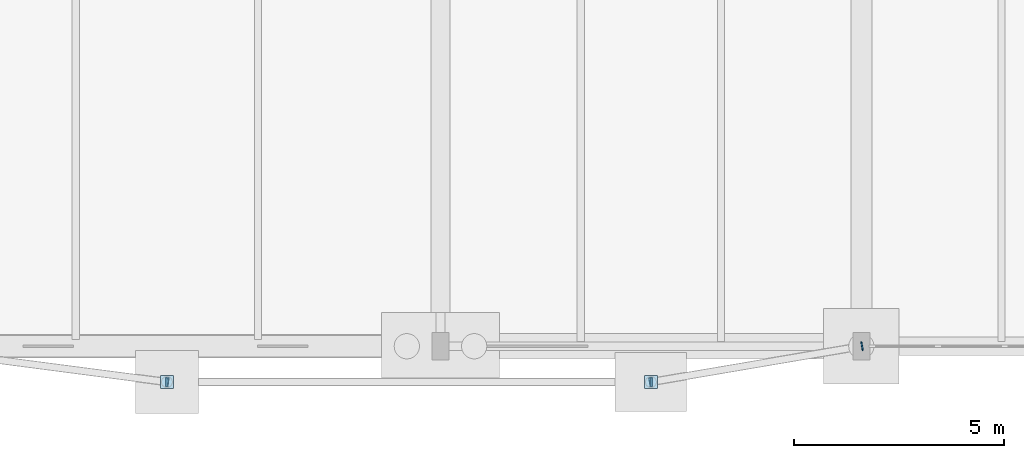
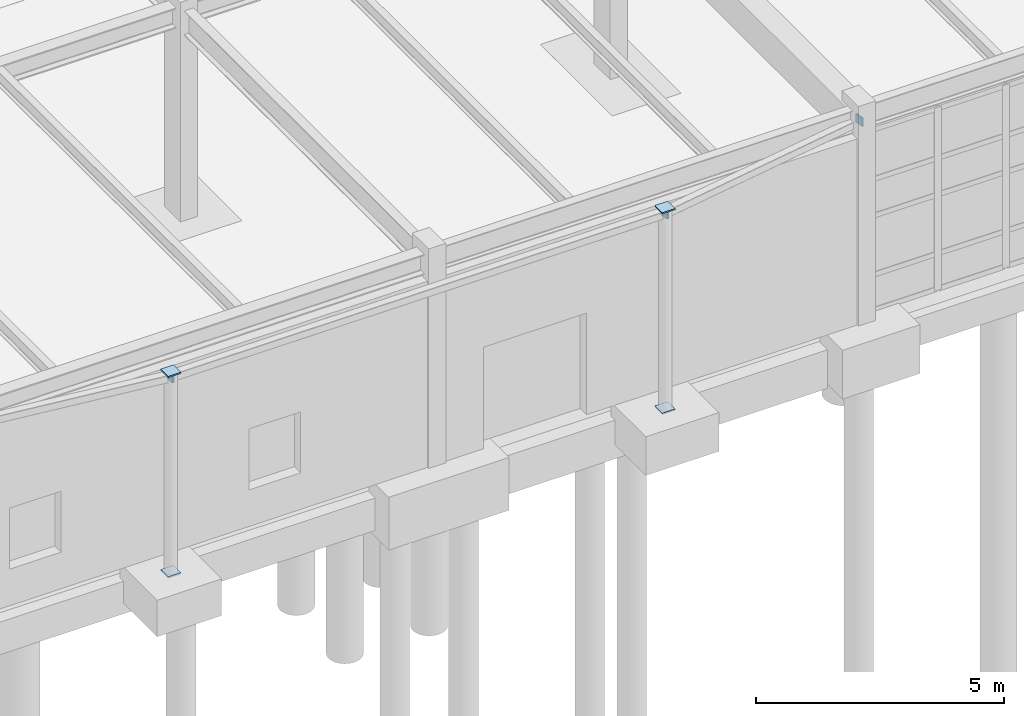
# One storey, part 114 of 145: 9 plates.
"""IFC4 building model written with IfcOpenShell, lengths in metres."""

import ifcopenshell
import ifcopenshell.guid

model = None  # the IFC model being written
_history = None  # IfcOwnerHistory: only IFC2X3 demands one
_inside = {}  # id of a spatial element -> (the spatial element, [elements in it])
_under = {}  # id of a project, library or spatial element -> (it, [spatial elements below it])
_declared = {}  # id of a project -> (the project, [libraries it declares])
_typed = {}  # id of a type object -> (the type object, [elements of that type])
_made_of = {}  # id of a material, layer set ... -> (it, [elements and type objects made of it])


def new_model(schema):
    """Start an empty IFC model of exactly this schema.

    Asked for "IFC4X3", IfcOpenShell would pick the latest addendum, in which some entities
    have other attributes; the version numbers below select the first issue.
    IFC2X3 requires an IfcOwnerHistory on every rooted entity: one is made here for all.
    """
    global model, _history
    if schema == "IFC4X3":
        model = ifcopenshell.file(schema_version=(4, 3, 0, 0))
    else:
        model = ifcopenshell.file(schema=schema)
    _inside.clear()
    _under.clear()
    _declared.clear()
    _typed.clear()
    _made_of.clear()
    _history = None
    if model.schema == "IFC2X3":
        org = make("IfcOrganization", Name="unknown")
        user = make(
            "IfcPersonAndOrganization",
            ThePerson=make("IfcPerson", FamilyName="unknown"),
            TheOrganization=org,
        )
        app = make(
            "IfcApplication",
            ApplicationDeveloper=org,
            Version="unknown",
            ApplicationFullName="unknown",
            ApplicationIdentifier="unknown",
        )
        _history = make(
            "IfcOwnerHistory",
            OwningUser=user,
            OwningApplication=app,
            ChangeAction="ADDED",
            CreationDate=0,
        )
    return model


def make(cls, **values):
    """One entity of the class cls with the attributes given. An attribute that is None is left unset."""
    return model.create_entity(
        cls, **{name: value for name, value in values.items() if value is not None}
    )


def rooted(cls, **values):
    """An entity with a GlobalId (a new one), such as an element, a storey or a relation."""
    return make(cls, GlobalId=ifcopenshell.guid.new(), OwnerHistory=_history, **values)


def si_unit(unit_type, name, prefix=None):
    """IfcSIUnit, for example si_unit("LENGTHUNIT", "METRE", prefix="MILLI")."""
    return make("IfcSIUnit", UnitType=unit_type, Prefix=prefix, Name=name)


def assignment(units):
    """IfcUnitAssignment: the units of a project."""
    return None if units is None else make("IfcUnitAssignment", Units=units)


def point(xyz):
    """IfcCartesianPoint."""
    return None if xyz is None else make("IfcCartesianPoint", Coordinates=xyz)


def direction(xyz):
    """IfcDirection."""
    return None if xyz is None else make("IfcDirection", DirectionRatios=xyz)


def frame(location, z_axis=None, x_axis=None):
    """IfcAxis2Placement3D, a coordinate frame: its origin and axes. An axis left out is left unset."""
    return make(
        "IfcAxis2Placement3D",
        Location=point(location),
        Axis=direction(z_axis),
        RefDirection=direction(x_axis),
    )


def frame_2d(location, x_axis=None):
    """IfcAxis2Placement2D, a coordinate frame in the plane: its origin and x axis."""
    return make(
        "IfcAxis2Placement2D", Location=point(location), RefDirection=direction(x_axis)
    )


def origin():
    """The frame at (0, 0, 0) with its axes left unset."""
    return frame((0.0, 0.0, 0.0))


def origin_2d():
    """The frame at (0, 0) in the plane with its x axis left unset."""
    return frame_2d((0.0, 0.0))


def place(relative_to, where):
    """IfcLocalPlacement: puts the frame where relative to a parent placement (None: the world)."""
    return make(
        "IfcLocalPlacement", PlacementRelTo=relative_to, RelativePlacement=where
    )


def context(
    kind, dimensions, precision=None, world=None, true_north=None, identifier=None
):
    """IfcGeometricRepresentationContext, for example the 3D "Model" context."""
    return make(
        "IfcGeometricRepresentationContext",
        ContextIdentifier=identifier,
        ContextType=kind,
        CoordinateSpaceDimension=dimensions,
        Precision=precision,
        WorldCoordinateSystem=world,
        TrueNorth=true_north,
    )


def subcontext(parent, identifier, kind, view, scale=None):
    """IfcGeometricRepresentationSubContext, for example "Body" below "Model"."""
    return make(
        "IfcGeometricRepresentationSubContext",
        ContextIdentifier=identifier,
        ContextType=kind,
        ParentContext=parent,
        TargetScale=scale,
        TargetView=view,
    )


def project(units=None, contexts=None):
    """IfcProject with its units and contexts."""
    return rooted(
        "IfcProject",
        Name="project",
        RepresentationContexts=contexts,
        UnitsInContext=assignment(units),
    )


def spatial(cls, under=None, at=None, **own):
    """A site, building, storey or space (cls), placed at a placement, below another one or the project."""
    s = rooted(cls, ObjectPlacement=at, **own)
    if under is not None:
        _under.setdefault(under.id(), (under, []))[1].append(s)
    return s


def profile(cls, at=None, kind="AREA", **sizes):
    """A parametric profile (cls). Its sizes go by their IFC names, for example OverallWidth=200.0."""
    return make(cls, ProfileType=kind, Position=at, **sizes)


def rectangle(**sizes):
    """IfcRectangleProfileDef."""
    return profile("IfcRectangleProfileDef", **sizes)


def extrude(swept, where, along, depth):
    """IfcExtrudedAreaSolid: the profile swept, set in the frame where, extruded along a direction by depth."""
    return make(
        "IfcExtrudedAreaSolid",
        SweptArea=swept,
        Position=where,
        ExtrudedDirection=direction(along),
        Depth=depth,
    )


def shape(context_of_items, identifier, shape_type, items):
    """IfcShapeRepresentation: the items that make up one representation, for example the "Body"."""
    return make(
        "IfcShapeRepresentation",
        ContextOfItems=context_of_items,
        RepresentationIdentifier=identifier,
        RepresentationType=shape_type,
        Items=items,
    )


def material(Name=None, Category=None):
    """IfcMaterial."""
    return make("IfcMaterial", Name=Name, Category=Category)


def layer(
    of_material, thickness, ventilated=None, Name=None, Category=None, Priority=None
):
    """IfcMaterialLayer: one layer of a wall or slab, of a material (None: an air gap)."""
    return make(
        "IfcMaterialLayer",
        Material=of_material,
        LayerThickness=thickness,
        IsVentilated=ventilated,
        Name=Name,
        Category=Category,
        Priority=Priority,
    )


def layer_set(layers, Name=None):
    """IfcMaterialLayerSet."""
    return make("IfcMaterialLayerSet", MaterialLayers=layers, LayerSetName=Name)


def made_of(thing, what):
    """Note that an element or type object is made of a material, layer set ...; save() writes the relation."""
    if what is not None:
        _made_of.setdefault(what.id(), (what, []))[1].append(thing)
    return thing


def type_object(cls, material=None, **own):
    """A type object (cls), such as IfcWallType, which elements share."""
    return made_of(rooted(cls, **own), material)


def element(
    cls,
    number,
    at=None,
    inside=None,
    cuts=None,
    type_object=None,
    material=None,
    context=None,
    identifier="Body",
    shape_type=None,
    held_by="IfcProductDefinitionShape",
    body=None,
    shapes=None,
    **own,
):
    """One element of the class cls, such as IfcWall. Its Tag is "e" and its number.

    at: its placement. inside: the storey or other place that contains it. cuts: it is an
    opening in that element (IfcRelVoidsElement). A single representation is given by context,
    identifier, shape_type and body (its items); several are given by shapes. held_by: the class
    of the entity that holds the representations. save() writes the other relations.
    """
    e = rooted(cls, Tag="e%d" % number, ObjectPlacement=at, **own)
    if body is not None:
        shapes = [shape(context, identifier, shape_type, body)]
    if shapes is not None:
        e.Representation = make(held_by, Representations=shapes)
    if inside is not None:
        _inside.setdefault(inside.id(), (inside, []))[1].append(e)
    if cuts is not None:
        rooted(
            "IfcRelVoidsElement", RelatingBuildingElement=cuts, RelatedOpeningElement=e
        )
    if type_object is not None:
        _typed.setdefault(type_object.id(), (type_object, []))[1].append(e)
    return made_of(e, material)


def aggregate(whole, parts):
    """IfcRelAggregates: a whole, such as a stair, and the parts it consists of."""
    return rooted("IfcRelAggregates", RelatingObject=whole, RelatedObjects=parts)


def save(model, path):
    """Write the relations noted so far, then the file.

    IfcRelAggregates (storeys below a building ...), IfcRelContainedInSpatialStructure (elements
    in a storey), IfcRelDefinesByType, IfcRelAssociatesMaterial and IfcRelDeclares: one each for
    every whole, place, type object, material and project.
    """
    for whole, parts in _under.values():
        aggregate(whole, parts)
    for where, things in _inside.values():
        rooted(
            "IfcRelContainedInSpatialStructure",
            RelatedElements=things,
            RelatingStructure=where,
        )
    for kind, things in _typed.values():
        rooted("IfcRelDefinesByType", RelatedObjects=things, RelatingType=kind)
    for what, things in _made_of.values():
        rooted("IfcRelAssociatesMaterial", RelatedObjects=things, RelatingMaterial=what)
    for by, libraries in _declared.values():
        rooted("IfcRelDeclares", RelatingContext=by, RelatedDefinitions=libraries)
    model.write(path)


model = new_model("IFC4")

# Units and contexts
model_context = context("Model", 3, precision=1e-05, world=origin(), true_north=direction((0.0, 1.0)))
body_context = subcontext(model_context, "Body", "Model", "MODEL_VIEW")
ifc_project = project(units=[si_unit("LENGTHUNIT", "METRE"), si_unit("AREAUNIT", "SQUARE_METRE"), si_unit("VOLUMEUNIT", "CUBIC_METRE"), si_unit("PLANEANGLEUNIT", "RADIAN"), si_unit("MASSUNIT", "GRAM", prefix="KILO"), si_unit("THERMODYNAMICTEMPERATUREUNIT", "KELVIN"), si_unit("POWERUNIT", "WATT")], contexts=[model_context])

# Site, building, storey
site_placement = place(None, origin())
site = spatial("IfcSite", under=ifc_project, at=site_placement, CompositionType="ELEMENT")
building_placement = place(site_placement, origin())
building = spatial("IfcBuilding", under=site, at=building_placement, Name="Korenveer Ferry Terminal", CompositionType="ELEMENT")
storey_placement = place(building_placement, origin())
storey = spatial("IfcBuildingStorey", under=building, at=storey_placement, Name="L00", CompositionType="ELEMENT", Elevation=0.0)

# Plates
ifc_material = material(Name="Steel S355", Category="steel")
ifc_layer = layer(ifc_material, 0.031982421875)
ifc_layer_set = layer_set([ifc_layer], Name="Steel S355")
plate_type = type_object("IfcPlateType", Name="STR-PLT-CAP32", PredefinedType="USERDEFINED", material=ifc_layer_set)
for number, where, z_axis, x_axis, name in (
    (1, (129.5, -0.85009765625, -0.0322265625), (0.0, 0.0, 1.0), (1.0, 0.0, 0.0), "Hollow section end cap 546"),
    (2, (129.5, -0.85009765625, 4.89990234375), (0.0, 0.0, 1.0), (1.0, 0.0, 0.0), "Hollow section end cap 547"),
    (3, (141.0, -0.85009765625, -0.0322265625), (0.0, 0.0, 1.0), (1.0, 0.0, 0.0), "Hollow section end cap 548"),
    (4, (141.0, -0.85009765625, 4.89990234375), (0.0, 0.0, 1.0), (1.0, 0.0, 0.0), "Hollow section end cap 549"),
):
    element("IfcPlate", number, at=place(storey_placement, frame(where, z_axis=z_axis, x_axis=x_axis)), inside=storey, type_object=plate_type, Name=name, ObjectType="END CAP PLATE", PredefinedType="USERDEFINED", context=body_context, shape_type="SweptSolid", body=[
        extrude(rectangle(XDim=0.302978515625, YDim=0.302978515625, at=origin_2d()), origin(), (0.0, 0.0, 1.0), 0.031982421875),
    ])
for number, where, z_axis, x_axis, name in (
    (5, (129.4677734375, -0.85009765625, 4.800048828125), (1.0, 0.0, 0.0), (0.0, 1.0, 0.0), "Hollow section end cap 560"),
    (6, (141.0, -0.85009765625, 4.800048828125), (1.0, 0.0, 0.0), (0.0, 1.0, 0.0), "Hollow section end cap 561"),
    (7, (129.5, -0.85009765625, 4.800048828125), (0.991557825803, -0.129665253974, 0.0), (0.129665253974, 0.991557825803, 0.0), "Hollow section end cap 563"),
    (8, (146.03173828125, 0.00537109375, 4.800048828125), (-0.985855846668, -0.167595493944, 0.0), (0.167595493944, -0.985855846668, 0.0), "Hollow section end cap 564"),
    (9, (141.0, -0.85009765625, 4.800048828125), (-0.985855846668, -0.167595493944, 0.0), (0.167595493944, -0.985855846668, 0.0), "Hollow section end cap 565"),
):
    element("IfcPlate", number, at=place(storey_placement, frame(where, z_axis=z_axis, x_axis=x_axis)), inside=storey, type_object=plate_type, Name=name, ObjectType="END CAP PLATE", PredefinedType="USERDEFINED", context=body_context, shape_type="SweptSolid", body=[
        extrude(rectangle(XDim=0.2099609375, YDim=0.2099609375, at=origin_2d()), origin(), (0.0, 0.0, 1.0), 0.031982421875),
    ])

save(model, "model.ifc")
